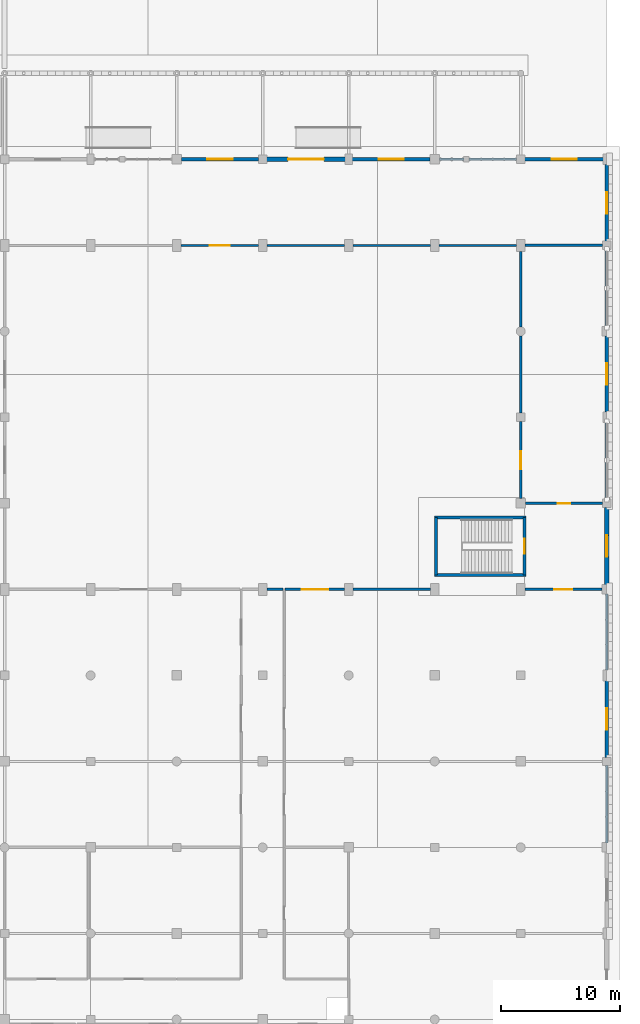
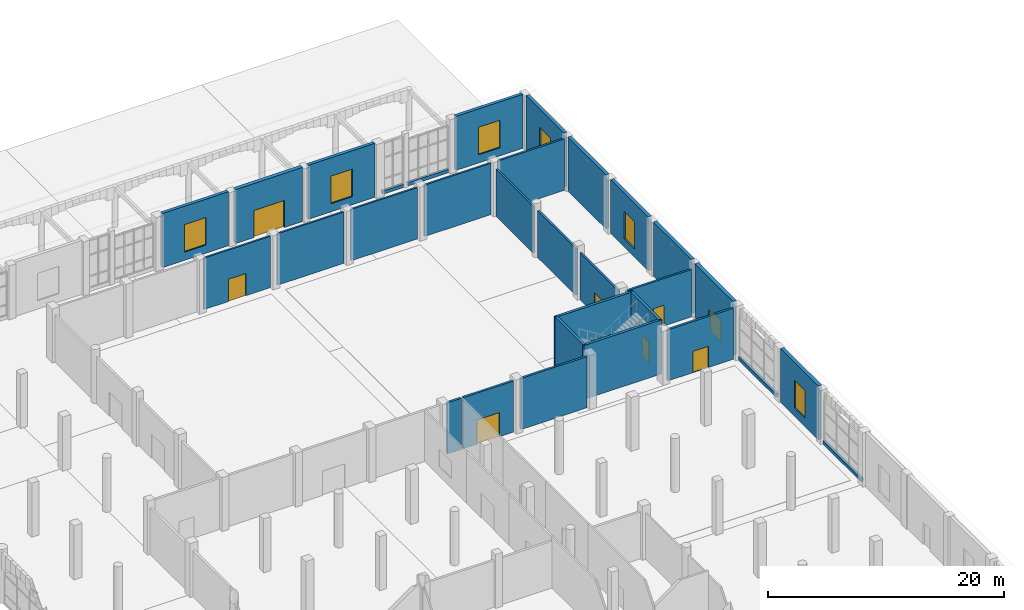
# One storey, part 64 of 85: 31 walls, 8 doors, 6 windows, 14 openings.
"""IFC4 building model written with IfcOpenShell, lengths in metres."""

import ifcopenshell
import ifcopenshell.guid

model = None  # the IFC model being written
_history = None  # IfcOwnerHistory: only IFC2X3 demands one
_inside = {}  # id of a spatial element -> (the spatial element, [elements in it])
_under = {}  # id of a project, library or spatial element -> (it, [spatial elements below it])
_declared = {}  # id of a project -> (the project, [libraries it declares])
_typed = {}  # id of a type object -> (the type object, [elements of that type])
_made_of = {}  # id of a material, layer set ... -> (it, [elements and type objects made of it])


def new_model(schema):
    """Start an empty IFC model of exactly this schema.

    Asked for "IFC4X3", IfcOpenShell would pick the latest addendum, in which some entities
    have other attributes; the version numbers below select the first issue.
    IFC2X3 requires an IfcOwnerHistory on every rooted entity: one is made here for all.
    """
    global model, _history
    if schema == "IFC4X3":
        model = ifcopenshell.file(schema_version=(4, 3, 0, 0))
    else:
        model = ifcopenshell.file(schema=schema)
    _inside.clear()
    _under.clear()
    _declared.clear()
    _typed.clear()
    _made_of.clear()
    _history = None
    if model.schema == "IFC2X3":
        org = make("IfcOrganization", Name="unknown")
        user = make(
            "IfcPersonAndOrganization",
            ThePerson=make("IfcPerson", FamilyName="unknown"),
            TheOrganization=org,
        )
        app = make(
            "IfcApplication",
            ApplicationDeveloper=org,
            Version="unknown",
            ApplicationFullName="unknown",
            ApplicationIdentifier="unknown",
        )
        _history = make(
            "IfcOwnerHistory",
            OwningUser=user,
            OwningApplication=app,
            ChangeAction="ADDED",
            CreationDate=0,
        )
    return model


def make(cls, **values):
    """One entity of the class cls with the attributes given. An attribute that is None is left unset."""
    return model.create_entity(
        cls, **{name: value for name, value in values.items() if value is not None}
    )


def rooted(cls, **values):
    """An entity with a GlobalId (a new one), such as an element, a storey or a relation."""
    return make(cls, GlobalId=ifcopenshell.guid.new(), OwnerHistory=_history, **values)


def si_unit(unit_type, name, prefix=None):
    """IfcSIUnit, for example si_unit("LENGTHUNIT", "METRE", prefix="MILLI")."""
    return make("IfcSIUnit", UnitType=unit_type, Prefix=prefix, Name=name)


def assignment(units):
    """IfcUnitAssignment: the units of a project."""
    return None if units is None else make("IfcUnitAssignment", Units=units)


def point(xyz):
    """IfcCartesianPoint."""
    return None if xyz is None else make("IfcCartesianPoint", Coordinates=xyz)


def direction(xyz):
    """IfcDirection."""
    return None if xyz is None else make("IfcDirection", DirectionRatios=xyz)


def frame(location, z_axis=None, x_axis=None):
    """IfcAxis2Placement3D, a coordinate frame: its origin and axes. An axis left out is left unset."""
    return make(
        "IfcAxis2Placement3D",
        Location=point(location),
        Axis=direction(z_axis),
        RefDirection=direction(x_axis),
    )


def frame_2d(location, x_axis=None):
    """IfcAxis2Placement2D, a coordinate frame in the plane: its origin and x axis."""
    return make(
        "IfcAxis2Placement2D", Location=point(location), RefDirection=direction(x_axis)
    )


def origin():
    """The frame at (0, 0, 0) with its axes left unset."""
    return frame((0.0, 0.0, 0.0))


def place(relative_to, where):
    """IfcLocalPlacement: puts the frame where relative to a parent placement (None: the world)."""
    return make(
        "IfcLocalPlacement", PlacementRelTo=relative_to, RelativePlacement=where
    )


def context(
    kind, dimensions, precision=None, world=None, true_north=None, identifier=None
):
    """IfcGeometricRepresentationContext, for example the 3D "Model" context."""
    return make(
        "IfcGeometricRepresentationContext",
        ContextIdentifier=identifier,
        ContextType=kind,
        CoordinateSpaceDimension=dimensions,
        Precision=precision,
        WorldCoordinateSystem=world,
        TrueNorth=true_north,
    )


def subcontext(parent, identifier, kind, view, scale=None):
    """IfcGeometricRepresentationSubContext, for example "Body" below "Model"."""
    return make(
        "IfcGeometricRepresentationSubContext",
        ContextIdentifier=identifier,
        ContextType=kind,
        ParentContext=parent,
        TargetScale=scale,
        TargetView=view,
    )


def project(units=None, contexts=None):
    """IfcProject with its units and contexts."""
    return rooted(
        "IfcProject",
        Name="project",
        RepresentationContexts=contexts,
        UnitsInContext=assignment(units),
    )


def spatial(cls, under=None, at=None, **own):
    """A site, building, storey or space (cls), placed at a placement, below another one or the project."""
    s = rooted(cls, ObjectPlacement=at, **own)
    if under is not None:
        _under.setdefault(under.id(), (under, []))[1].append(s)
    return s


def profile(cls, at=None, kind="AREA", **sizes):
    """A parametric profile (cls). Its sizes go by their IFC names, for example OverallWidth=200.0."""
    return make(cls, ProfileType=kind, Position=at, **sizes)


def rectangle(**sizes):
    """IfcRectangleProfileDef."""
    return profile("IfcRectangleProfileDef", **sizes)


def extrude(swept, where, along, depth):
    """IfcExtrudedAreaSolid: the profile swept, set in the frame where, extruded along a direction by depth."""
    return make(
        "IfcExtrudedAreaSolid",
        SweptArea=swept,
        Position=where,
        ExtrudedDirection=direction(along),
        Depth=depth,
    )


def shape(context_of_items, identifier, shape_type, items):
    """IfcShapeRepresentation: the items that make up one representation, for example the "Body"."""
    return make(
        "IfcShapeRepresentation",
        ContextOfItems=context_of_items,
        RepresentationIdentifier=identifier,
        RepresentationType=shape_type,
        Items=items,
    )


def material(Name=None, Category=None):
    """IfcMaterial."""
    return make("IfcMaterial", Name=Name, Category=Category)


def layer(
    of_material, thickness, ventilated=None, Name=None, Category=None, Priority=None
):
    """IfcMaterialLayer: one layer of a wall or slab, of a material (None: an air gap)."""
    return make(
        "IfcMaterialLayer",
        Material=of_material,
        LayerThickness=thickness,
        IsVentilated=ventilated,
        Name=Name,
        Category=Category,
        Priority=Priority,
    )


def layer_set(layers, Name=None):
    """IfcMaterialLayerSet."""
    return make("IfcMaterialLayerSet", MaterialLayers=layers, LayerSetName=Name)


def made_of(thing, what):
    """Note that an element or type object is made of a material, layer set ...; save() writes the relation."""
    if what is not None:
        _made_of.setdefault(what.id(), (what, []))[1].append(thing)
    return thing


def type_object(cls, material=None, **own):
    """A type object (cls), such as IfcWallType, which elements share."""
    return made_of(rooted(cls, **own), material)


def element(
    cls,
    number,
    at=None,
    inside=None,
    cuts=None,
    type_object=None,
    material=None,
    context=None,
    identifier="Body",
    shape_type=None,
    held_by="IfcProductDefinitionShape",
    body=None,
    shapes=None,
    **own,
):
    """One element of the class cls, such as IfcWall. Its Tag is "e" and its number.

    at: its placement. inside: the storey or other place that contains it. cuts: it is an
    opening in that element (IfcRelVoidsElement). A single representation is given by context,
    identifier, shape_type and body (its items); several are given by shapes. held_by: the class
    of the entity that holds the representations. save() writes the other relations.
    """
    e = rooted(cls, Tag="e%d" % number, ObjectPlacement=at, **own)
    if body is not None:
        shapes = [shape(context, identifier, shape_type, body)]
    if shapes is not None:
        e.Representation = make(held_by, Representations=shapes)
    if inside is not None:
        _inside.setdefault(inside.id(), (inside, []))[1].append(e)
    if cuts is not None:
        rooted(
            "IfcRelVoidsElement", RelatingBuildingElement=cuts, RelatedOpeningElement=e
        )
    if type_object is not None:
        _typed.setdefault(type_object.id(), (type_object, []))[1].append(e)
    return made_of(e, material)


def fill(opening, filler):
    """IfcRelFillsElement: the door or window that sits in an opening."""
    return rooted(
        "IfcRelFillsElement",
        RelatingOpeningElement=opening,
        RelatedBuildingElement=filler,
    )


def aggregate(whole, parts):
    """IfcRelAggregates: a whole, such as a stair, and the parts it consists of."""
    return rooted("IfcRelAggregates", RelatingObject=whole, RelatedObjects=parts)


def save(model, path):
    """Write the relations noted so far, then the file.

    IfcRelAggregates (storeys below a building ...), IfcRelContainedInSpatialStructure (elements
    in a storey), IfcRelDefinesByType, IfcRelAssociatesMaterial and IfcRelDeclares: one each for
    every whole, place, type object, material and project.
    """
    for whole, parts in _under.values():
        aggregate(whole, parts)
    for where, things in _inside.values():
        rooted(
            "IfcRelContainedInSpatialStructure",
            RelatedElements=things,
            RelatingStructure=where,
        )
    for kind, things in _typed.values():
        rooted("IfcRelDefinesByType", RelatedObjects=things, RelatingType=kind)
    for what, things in _made_of.values():
        rooted("IfcRelAssociatesMaterial", RelatedObjects=things, RelatingMaterial=what)
    for by, libraries in _declared.values():
        rooted("IfcRelDeclares", RelatingContext=by, RelatedDefinitions=libraries)
    model.write(path)


model = new_model("IFC4")

# Units and contexts
model_context = context("Model", 3, precision=1e-05, world=origin(), true_north=direction((0.0, 1.0)))
body_context = subcontext(model_context, "Body", "Model", "MODEL_VIEW")
ifc_project = project(units=[si_unit("LENGTHUNIT", "METRE"), si_unit("AREAUNIT", "SQUARE_METRE"), si_unit("VOLUMEUNIT", "CUBIC_METRE"), si_unit("PLANEANGLEUNIT", "RADIAN"), si_unit("MASSUNIT", "GRAM", prefix="KILO")], contexts=[model_context])

# Site, building, storey
site_placement = place(None, origin())
site = spatial("IfcSite", under=ifc_project, at=site_placement, CompositionType="ELEMENT")
building_placement = place(site_placement, origin())
building = spatial("IfcBuilding", under=site, at=building_placement, Name="Sardonyx Promenade Sports Hall", CompositionType="ELEMENT")
storey_placement = place(building_placement, origin())
storey = spatial("IfcBuildingStorey", under=building, at=storey_placement, Name="L00", CompositionType="ELEMENT", Elevation=0.0)

# Wall, opening, window
ifc_material_1 = material(Name="Concrete C40/50", Category="concrete")
ifc_layer_1 = layer(ifc_material_1, 0.300048828125)
ifc_layer_set_1 = layer_set([ifc_layer_1], Name="Wall_Ext_Hall_300")
wall_type_1 = type_object("IfcWallType", Name="Wall_Ext_Hall_300", PredefinedType="SOLIDWALL", material=ifc_layer_set_1)
wall_1_placement = place(storey_placement, frame((165.60009765625, 85.965087890625, 0.0), z_axis=(0.0, 0.0, 1.0), x_axis=(0.0, -1.0, 0.0)))
wall_1 = element("IfcWall", 1, at=wall_1_placement, inside=storey, type_object=wall_type_1, Name="Exterior wall EW04 L00 #92", PredefinedType="SOLIDWALL", context=body_context, shape_type="SweptSolid", body=[
    extrude(rectangle(XDim=6.43017578125, YDim=0.300048828125, at=frame_2d((3.215087890625, 0.0))), origin(), (0.0, 0.0, 1.0), 5.60009765625),
])
opening_1_placement = place(wall_1_placement, frame((2.31494140625, 0.0, 0.85009765625)))
opening_1 = element("IfcOpeningElement", 2, at=opening_1_placement, cuts=wall_1, Name="Opening W23", PredefinedType="OPENING", context=body_context, shape_type="SweptSolid", body=[
    extrude(rectangle(XDim=1.800048828125, YDim=2.85009765625, at=frame_2d((0.89990234375, 1.425048828125))), frame((0.0, 0.16, 0.0), z_axis=(0.0, -1.0, 0.0), x_axis=(1.0, 0.0, 0.0)), (0.0, 0.0, 1.0), 0.32),
])
ifc_material_2 = material(Name="Double-glazed solar low-E aluminium window", Category="aluminium")
window_type_1 = type_object("IfcWindowType", Name="Win_Sandstone_ArchA", PartitioningType="DOUBLE_PANEL_VERTICAL", PredefinedType="WINDOW", material=ifc_material_2)
window_1_placement = place(opening_1_placement, origin())
window_1 = element("IfcWindow", 3, at=window_1_placement, inside=storey, type_object=window_type_1, Name="Facade window W23 L00 #38", OverallHeight=2.85009765625, OverallWidth=1.800048828125, PartitioningType="SINGLE_PANEL", PredefinedType="WINDOW", context=body_context, shape_type="SweptSolid", body=[
    extrude(rectangle(XDim=1.800048828125, YDim=2.85009765625, at=frame_2d((0.89990234375, 1.425048828125))), frame((0.0, 0.030029296875, 0.0), z_axis=(0.0, -1.0, 0.0), x_axis=(1.0, 0.0, 0.0)), (0.0, 0.0, 1.0), 0.06005859375),
])
fill(opening_1, window_1)

# Wall
wall_2_placement = place(storey_placement, frame((165.60009765625, 78.864990234375, 0.0), z_axis=(0.0, 0.0, 1.0), x_axis=(0.0, -1.0, 0.0)))
element("IfcWall", 4, at=wall_2_placement, inside=storey, type_object=wall_type_1, Name="Exterior wall EW04 L00 #93", PredefinedType="SOLIDWALL", context=body_context, shape_type="SweptSolid", body=[
    extrude(rectangle(XDim=6.47998046875, YDim=0.300048828125, at=frame_2d((3.239990234375, 0.0))), origin(), (0.0, 0.0, 1.0), 5.60009765625),
])

# Wall, opening, window
wall_3_placement = place(storey_placement, frame((165.60009765625, 71.614990234375, 0.0), z_axis=(0.0, 0.0, 1.0), x_axis=(0.0, -1.0, 0.0)))
wall_3 = element("IfcWall", 5, at=wall_3_placement, inside=storey, type_object=wall_type_1, Name="Exterior wall EW04 L00 #94", PredefinedType="SOLIDWALL", context=body_context, shape_type="SweptSolid", body=[
    extrude(rectangle(XDim=6.3798828125, YDim=0.300048828125, at=frame_2d((3.18994140625, 0.0))), origin(), (0.0, 0.0, 1.0), 5.60009765625),
])
opening_2_placement = place(wall_3_placement, frame((2.2900390625, 0.0, 0.85009765625)))
opening_2 = element("IfcOpeningElement", 6, at=opening_2_placement, cuts=wall_3, Name="Opening W23", PredefinedType="OPENING", context=body_context, shape_type="SweptSolid", body=[
    extrude(rectangle(XDim=1.800048828125, YDim=2.85009765625, at=frame_2d((0.89990234375, 1.425048828125))), frame((0.0, 0.16, 0.0), z_axis=(0.0, -1.0, 0.0), x_axis=(1.0, 0.0, 0.0)), (0.0, 0.0, 1.0), 0.32),
])
window_2_placement = place(opening_2_placement, origin())
window_2 = element("IfcWindow", 7, at=window_2_placement, inside=storey, type_object=window_type_1, Name="Facade window W23 L00 #39", OverallHeight=2.85009765625, OverallWidth=1.800048828125, PartitioningType="SINGLE_PANEL", PredefinedType="WINDOW", context=body_context, shape_type="SweptSolid", body=[
    extrude(rectangle(XDim=1.800048828125, YDim=2.85009765625, at=frame_2d((0.89990234375, 1.425048828125))), frame((0.0, 0.030029296875, 0.0), z_axis=(0.0, -1.0, 0.0), x_axis=(1.0, 0.0, 0.0)), (0.0, 0.0, 1.0), 0.06005859375),
])
fill(opening_2, window_2)

# Wall
wall_4_placement = place(storey_placement, frame((165.60009765625, 64.364990234375, 0.0), z_axis=(0.0, 0.0, 1.0), x_axis=(0.0, -1.0, 0.0)))
element("IfcWall", 8, at=wall_4_placement, inside=storey, type_object=wall_type_1, Name="Exterior wall EW04 L00 #95", PredefinedType="SOLIDWALL", context=body_context, shape_type="SweptSolid", body=[
    extrude(rectangle(XDim=6.429931640625, YDim=0.300048828125, at=frame_2d((3.21484375, 0.0))), origin(), (0.0, 0.0, 1.0), 5.60009765625),
])

# Wall, opening, window
wall_5_placement = place(storey_placement, frame((165.60009765625, 42.764892578125, 0.0), z_axis=(0.0, 0.0, 1.0), x_axis=(0.0, -1.0, 0.0)))
wall_5 = element("IfcWall", 9, at=wall_5_placement, inside=storey, type_object=wall_type_1, Name="Exterior wall EW04 L00 #98", PredefinedType="SOLIDWALL", context=body_context, shape_type="SweptSolid", body=[
    extrude(rectangle(XDim=6.429931640625, YDim=0.300048828125, at=frame_2d((3.21484375, 0.0))), origin(), (0.0, 0.0, 1.0), 5.60009765625),
])
opening_3_placement = place(wall_5_placement, frame((2.31494140625, 0.0, 0.85009765625)))
opening_3 = element("IfcOpeningElement", 10, at=opening_3_placement, cuts=wall_5, Name="Opening W23", PredefinedType="OPENING", context=body_context, shape_type="SweptSolid", body=[
    extrude(rectangle(XDim=1.800048828125, YDim=2.85009765625, at=frame_2d((0.89990234375, 1.425048828125))), frame((0.0, 0.16, 0.0), z_axis=(0.0, -1.0, 0.0), x_axis=(1.0, 0.0, 0.0)), (0.0, 0.0, 1.0), 0.32),
])
window_3_placement = place(opening_3_placement, origin())
window_3 = element("IfcWindow", 11, at=window_3_placement, inside=storey, type_object=window_type_1, Name="Facade window W23 L00 #40", OverallHeight=2.85009765625, OverallWidth=1.800048828125, PartitioningType="SINGLE_PANEL", PredefinedType="WINDOW", context=body_context, shape_type="SweptSolid", body=[
    extrude(rectangle(XDim=1.800048828125, YDim=2.85009765625, at=frame_2d((0.89990234375, 1.425048828125))), frame((0.0, 0.030029296875, 0.0), z_axis=(0.0, -1.0, 0.0), x_axis=(1.0, 0.0, 0.0)), (0.0, 0.0, 1.0), 0.06005859375),
])
fill(opening_3, window_3)

wall_6_placement = place(storey_placement, frame((129.985107421875, 86.39990234375, 0.0), z_axis=(0.0, 0.0, 1.0), x_axis=(1.0, 0.0, 0.0)))
wall_6 = element("IfcWall", 12, at=wall_6_placement, inside=storey, type_object=wall_type_1, Name="Exterior wall EW04 L00 #188", PredefinedType="SOLIDWALL", context=body_context, shape_type="SweptSolid", body=[
    extrude(rectangle(XDim=6.47998046875, YDim=0.300048828125, at=frame_2d((3.239990234375, 0.0))), origin(), (0.0, 0.0, 1.0), 5.60009765625),
])
opening_4_placement = place(wall_6_placement, frame((2.18994140625, 0.0, 0.85009765625)))
opening_4 = element("IfcOpeningElement", 13, at=opening_4_placement, cuts=wall_6, Name="Opening W15", PredefinedType="OPENING", context=body_context, shape_type="SweptSolid", body=[
    extrude(rectangle(XDim=2.10009765625, YDim=2.85009765625, at=frame_2d((1.050048828125, 1.425048828125))), frame((0.0, 0.16, 0.0), z_axis=(0.0, -1.0, 0.0), x_axis=(1.0, 0.0, 0.0)), (0.0, 0.0, 1.0), 0.32),
])
ifc_material_3 = material(Name="Double-glazed solar low-E aluminium window", Category="aluminium")
window_type_2 = type_object("IfcWindowType", Name="Win_Sandstone_ArchB", PartitioningType="DOUBLE_PANEL_VERTICAL", PredefinedType="WINDOW", material=ifc_material_3)
window_4_placement = place(opening_4_placement, origin())
window_4 = element("IfcWindow", 14, at=window_4_placement, inside=storey, type_object=window_type_2, Name="Facade window W15 L00 #73", OverallHeight=2.85009765625, OverallWidth=2.10009765625, PartitioningType="SINGLE_PANEL", PredefinedType="WINDOW", context=body_context, shape_type="SweptSolid", body=[
    extrude(rectangle(XDim=2.10009765625, YDim=2.85009765625, at=frame_2d((1.050048828125, 1.425048828125))), frame((0.0, 0.030029296875, 0.0), z_axis=(0.0, -1.0, 0.0), x_axis=(1.0, 0.0, 0.0)), (0.0, 0.0, 1.0), 0.06005859375),
])
fill(opening_4, window_4)

wall_7_placement = place(storey_placement, frame((144.284912109375, 86.39990234375, 0.0), z_axis=(0.0, 0.0, 1.0), x_axis=(1.0, 0.0, 0.0)))
wall_7 = element("IfcWall", 15, at=wall_7_placement, inside=storey, type_object=wall_type_1, Name="Exterior wall EW04 L00 #190", PredefinedType="SOLIDWALL", context=body_context, shape_type="SweptSolid", body=[
    extrude(rectangle(XDim=6.530029296875, YDim=0.300048828125, at=frame_2d((3.26513671875, 0.0))), origin(), (0.0, 0.0, 1.0), 5.60009765625),
])
opening_5_placement = place(wall_7_placement, frame((2.215087890625, 0.0, 0.85009765625)))
opening_5 = element("IfcOpeningElement", 16, at=opening_5_placement, cuts=wall_7, Name="Opening W15", PredefinedType="OPENING", context=body_context, shape_type="SweptSolid", body=[
    extrude(rectangle(XDim=2.10009765625, YDim=2.85009765625, at=frame_2d((1.050048828125, 1.425048828125))), frame((0.0, 0.16, 0.0), z_axis=(0.0, -1.0, 0.0), x_axis=(1.0, 0.0, 0.0)), (0.0, 0.0, 1.0), 0.32),
])
window_5_placement = place(opening_5_placement, origin())
window_5 = element("IfcWindow", 17, at=window_5_placement, inside=storey, type_object=window_type_2, Name="Facade window W15 L00 #74", OverallHeight=2.85009765625, OverallWidth=2.10009765625, PartitioningType="SINGLE_PANEL", PredefinedType="WINDOW", context=body_context, shape_type="SweptSolid", body=[
    extrude(rectangle(XDim=2.10009765625, YDim=2.85009765625, at=frame_2d((1.050048828125, 1.425048828125))), frame((0.0, 0.030029296875, 0.0), z_axis=(0.0, -1.0, 0.0), x_axis=(1.0, 0.0, 0.0)), (0.0, 0.0, 1.0), 0.06005859375),
])
fill(opening_5, window_5)

wall_8_placement = place(storey_placement, frame((158.735107421875, 86.39990234375, 0.0), z_axis=(0.0, 0.0, 1.0), x_axis=(1.0, 0.0, 0.0)))
wall_8 = element("IfcWall", 18, at=wall_8_placement, inside=storey, type_object=wall_type_1, Name="Exterior wall EW04 L00 #193", PredefinedType="SOLIDWALL", context=body_context, shape_type="SweptSolid", body=[
    extrude(rectangle(XDim=6.579833984375, YDim=0.300048828125, at=frame_2d((3.2900390625, 0.0))), origin(), (0.0, 0.0, 1.0), 5.60009765625),
])
opening_6_placement = place(wall_8_placement, frame((2.239990234375, 0.0, 0.85009765625)))
opening_6 = element("IfcOpeningElement", 19, at=opening_6_placement, cuts=wall_8, Name="Opening W15", PredefinedType="OPENING", context=body_context, shape_type="SweptSolid", body=[
    extrude(rectangle(XDim=2.10009765625, YDim=2.85009765625, at=frame_2d((1.050048828125, 1.425048828125))), frame((0.0, 0.16, 0.0), z_axis=(0.0, -1.0, 0.0), x_axis=(1.0, 0.0, 0.0)), (0.0, 0.0, 1.0), 0.32),
])
window_6_placement = place(opening_6_placement, origin())
window_6 = element("IfcWindow", 20, at=window_6_placement, inside=storey, type_object=window_type_2, Name="Facade window W15 L00 #75", OverallHeight=2.85009765625, OverallWidth=2.10009765625, PartitioningType="SINGLE_PANEL", PredefinedType="WINDOW", context=body_context, shape_type="SweptSolid", body=[
    extrude(rectangle(XDim=2.10009765625, YDim=2.85009765625, at=frame_2d((1.050048828125, 1.425048828125))), frame((0.0, 0.030029296875, 0.0), z_axis=(0.0, -1.0, 0.0), x_axis=(1.0, 0.0, 0.0)), (0.0, 0.0, 1.0), 0.06005859375),
])
fill(opening_6, window_6)

# Wall, opening, door
ifc_material_4 = material(Name="Concrete C40/50", Category="concrete")
ifc_layer_2 = layer(ifc_material_4, 0.360107421875)
ifc_layer_set_2 = layer_set([ifc_layer_2], Name="Wall_Ext_Sandstone_360")
wall_type_2 = type_object("IfcWallType", Name="Wall_Ext_Sandstone_360", PredefinedType="SOLIDWALL", material=ifc_layer_set_2)
wall_9_placement = place(storey_placement, frame((165.60009765625, 57.264892578125, 0.0), z_axis=(0.0, 0.0, 1.0), x_axis=(0.0, -1.0, 0.0)))
wall_9 = element("IfcWall", 21, at=wall_9_placement, inside=storey, type_object=wall_type_2, Name="Exterior wall EW06 L00 #96", PredefinedType="SOLIDWALL", context=body_context, shape_type="SweptSolid", body=[
    extrude(rectangle(XDim=6.47998046875, YDim=0.360107421875, at=frame_2d((3.239990234375, 0.0))), origin(), (0.0, 0.0, 1.0), 5.60009765625),
])
opening_7_placement = place(wall_9_placement, frame((2.340087890625, 0.0, 0.0)))
opening_7 = element("IfcOpeningElement", 22, at=opening_7_placement, cuts=wall_9, Name="Opening ED04", PredefinedType="OPENING", context=body_context, shape_type="SweptSolid", body=[
    extrude(rectangle(XDim=1.800048828125, YDim=2.199951171875, at=frame_2d((0.89990234375, 1.10009765625))), frame((0.0, 0.19, 0.0), z_axis=(0.0, -1.0, 0.0), x_axis=(1.0, 0.0, 0.0)), (0.0, 0.0, 1.0), 0.38),
])
ifc_material_5 = material(Name="Thermally broken anodised aluminium glazed door", Category="aluminium")
door_type_1 = type_object("IfcDoorType", Name="Door_Ext_Escape_180x220", OperationType="NOTDEFINED", PredefinedType="DOOR", material=ifc_material_5)
door_1_placement = place(opening_7_placement, origin())
door_1 = element("IfcDoor", 23, at=door_1_placement, inside=storey, type_object=door_type_1, Name="Exterior exit door E09", OperationType="DOUBLE_DOOR_SINGLE_SWING", OverallHeight=2.199951171875, OverallWidth=1.800048828125, PredefinedType="DOOR", context=body_context, shape_type="SweptSolid", body=[
    extrude(rectangle(XDim=1.800048828125, YDim=2.199951171875, at=frame_2d((0.89990234375, 1.10009765625))), frame((0.0, 0.02490234375, 0.0), z_axis=(0.0, -1.0, 0.0), x_axis=(1.0, 0.0, 0.0)), (0.0, 0.0, 1.0), 0.050048828125),
])
fill(opening_7, door_1)

wall_10_placement = place(storey_placement, frame((137.135009765625, 86.39990234375, 0.0), z_axis=(0.0, 0.0, 1.0), x_axis=(1.0, 0.0, 0.0)))
wall_10 = element("IfcWall", 24, at=wall_10_placement, inside=storey, type_object=wall_type_2, Name="Exterior wall EW06 L00 #189", PredefinedType="SOLIDWALL", context=body_context, shape_type="SweptSolid", body=[
    extrude(rectangle(XDim=6.580078125, YDim=0.360107421875, at=frame_2d((3.2900390625, 0.0))), origin(), (0.0, 0.0, 1.0), 5.60009765625),
])
opening_8_placement = place(wall_10_placement, frame((1.7900390625, 0.0, 0.0)))
opening_8 = element("IfcOpeningElement", 25, at=opening_8_placement, cuts=wall_10, Name="Opening ED07", PredefinedType="OPENING", context=body_context, shape_type="SweptSolid", body=[
    extrude(rectangle(XDim=3.0, YDim=2.800048828125, at=frame_2d((1.5, 1.39990234375))), frame((0.0, 0.19, 0.0), z_axis=(0.0, -1.0, 0.0), x_axis=(1.0, 0.0, 0.0)), (0.0, 0.0, 1.0), 0.38),
])
ifc_material_6 = material(Name="Thermally broken anodised aluminium glazed door", Category="aluminium")
door_type_2 = type_object("IfcDoorType", Name="Door_Ext_MainPishtaq_300x280", OperationType="NOTDEFINED", PredefinedType="DOOR", material=ifc_material_6)
door_2_placement = place(opening_8_placement, origin())
door_2 = element("IfcDoor", 26, at=door_2_placement, inside=storey, type_object=door_type_2, Name="Exterior exit door E16", OperationType="DOUBLE_DOOR_SINGLE_SWING", OverallHeight=2.800048828125, OverallWidth=3.0, PredefinedType="DOOR", context=body_context, shape_type="SweptSolid", body=[
    extrude(rectangle(XDim=3.0, YDim=2.800048828125, at=frame_2d((1.5, 1.39990234375))), frame((0.0, 0.02490234375, 0.0), z_axis=(0.0, -1.0, 0.0), x_axis=(1.0, 0.0, 0.0)), (0.0, 0.0, 1.0), 0.050048828125),
])
fill(opening_8, door_2)

# Walls
ifc_material_7 = material(Name="Masonry CMU 15 MPa", Category="masonry")
ifc_layer_3 = layer(ifc_material_7, 0.239990234375)
ifc_layer_set_3 = layer_set([ifc_layer_3], Name="Wall_Ext_Spandrel_240")
wall_type_3 = type_object("IfcWallType", Name="Wall_Ext_Spandrel_240", PredefinedType="SOLIDWALL", material=ifc_layer_set_3)
wall_11_placement = place(storey_placement, frame((165.60009765625, 50.014892578125, 0.0), z_axis=(0.0, 0.0, 1.0), x_axis=(0.0, -1.0, 0.0)))
element("IfcWall", 27, at=wall_11_placement, inside=storey, type_object=wall_type_3, Name="Curtain-wall sill spandrel L00 #97", PredefinedType="SOLIDWALL", context=body_context, shape_type="SweptSolid", body=[
    extrude(rectangle(XDim=6.3798828125, YDim=0.239990234375, at=frame_2d((3.18994140625, 0.0))), origin(), (0.0, 0.0, 1.0), 0.35009765625),
])
wall_12_placement = place(storey_placement, frame((165.60009765625, 35.6650390625, 0.0), z_axis=(0.0, 0.0, 1.0), x_axis=(0.0, -1.0, 0.0)))
element("IfcWall", 28, at=wall_12_placement, inside=storey, type_object=wall_type_3, Name="Curtain-wall sill spandrel L00 #99", PredefinedType="SOLIDWALL", context=body_context, shape_type="SweptSolid", body=[
    extrude(rectangle(XDim=6.47998046875, YDim=0.239990234375, at=frame_2d((3.239990234375, 0.0))), origin(), (0.0, 0.0, 1.0), 0.35009765625),
])
wall_13_placement = place(storey_placement, frame((151.5849609375, 86.39990234375, 0.0), z_axis=(0.0, 0.0, 1.0), x_axis=(1.0, 0.0, 0.0)))
element("IfcWall", 29, at=wall_13_placement, inside=storey, type_object=wall_type_3, Name="Curtain-wall sill spandrel L00 #191", PredefinedType="SOLIDWALL", context=body_context, shape_type="SweptSolid", body=[
    extrude(rectangle(XDim=2.054931640625, YDim=0.239990234375, at=frame_2d((1.02734375, 0.0))), origin(), (0.0, 0.0, 1.0), 0.35009765625),
])
wall_14_placement = place(storey_placement, frame((154.06005859375, 86.39990234375, 0.0), z_axis=(0.0, 0.0, 1.0), x_axis=(1.0, 0.0, 0.0)))
element("IfcWall", 30, at=wall_14_placement, inside=storey, type_object=wall_type_3, Name="Curtain-wall sill spandrel L00 #192", PredefinedType="SOLIDWALL", context=body_context, shape_type="SweptSolid", body=[
    extrude(rectangle(XDim=4.0048828125, YDim=0.239990234375, at=frame_2d((2.00244140625, 0.0))), origin(), (0.0, 0.0, 1.0), 0.35009765625),
])

# Wall, opening, door
ifc_material_8 = material(Name="Twin-stud acoustic gypsum partition", Category="gypsum")
ifc_layer_4 = layer(ifc_material_8, 0.169921875)
ifc_layer_set_4 = layer_set([ifc_layer_4], Name="Wall_Part_Acoust_170")
wall_type_4 = type_object("IfcWallType", Name="Wall_Part_Acoust_170", PredefinedType="PARTITIONING", material=ifc_layer_set_4)
wall_15_placement = place(storey_placement, frame((129.949951171875, 79.199951171875, 0.0), z_axis=(0.0, 0.0, 1.0), x_axis=(1.0, 0.0, 0.0)))
wall_15 = element("IfcWall", 31, at=wall_15_placement, inside=storey, type_object=wall_type_4, Name="Interior partition PW06 L00 #453", PredefinedType="PARTITIONING", context=body_context, shape_type="SweptSolid", body=[
    extrude(rectangle(XDim=6.5, YDim=0.169921875, at=frame_2d((3.25, 0.0))), origin(), (0.0, 0.0, 1.0), 5.320068359375),
])
opening_9_placement = place(wall_15_placement, frame((2.39990234375, 0.0, 0.0)))
opening_9 = element("IfcOpeningElement", 32, at=opening_9_placement, cuts=wall_15, Name="Opening ID03", PredefinedType="OPENING", context=body_context, shape_type="SweptSolid", body=[
    extrude(rectangle(XDim=1.699951171875, YDim=2.300048828125, at=frame_2d((0.85009765625, 1.14990234375))), frame((0.0, 0.095, 0.0), z_axis=(0.0, -1.0, 0.0), x_axis=(1.0, 0.0, 0.0)), (0.0, 0.0, 1.0), 0.19),
])
ifc_material_9 = material(Name="Double changing suite fire door FD30S", Category="wood")
door_type_3 = type_object("IfcDoorType", Name="Door_Corr_FD30_170x230", OperationType="NOTDEFINED", PredefinedType="DOOR", material=ifc_material_9)
door_3_placement = place(opening_9_placement, origin())
door_3 = element("IfcDoor", 33, at=door_3_placement, inside=storey, type_object=door_type_3, Name="Interior door D00-143", OperationType="DOUBLE_DOOR_SINGLE_SWING", OverallHeight=2.300048828125, OverallWidth=1.699951171875, PredefinedType="DOOR", context=body_context, shape_type="SweptSolid", body=[
    extrude(rectangle(XDim=1.699951171875, YDim=2.300048828125, at=frame_2d((0.85009765625, 1.14990234375))), frame((0.0, 0.02490234375, 0.0), z_axis=(0.0, -1.0, 0.0), x_axis=(1.0, 0.0, 0.0)), (0.0, 0.0, 1.0), 0.050048828125),
])
fill(opening_9, door_3)

# Walls
for number, where, z_axis, x_axis, name in (
    (34, (137.14990234375, 79.199951171875, 0.0), (0.0, 0.0, 1.0), (1.0, 0.0, 0.0), "Interior partition PW06 L00 #456"),
    (35, (144.35009765625, 79.199951171875, 0.0), (0.0, 0.0, 1.0), (1.0, 0.0, 0.0), "Interior partition PW06 L00 #458"),
    (36, (151.550048828125, 79.199951171875, 0.0), (0.0, 0.0, 1.0), (1.0, 0.0, 0.0), "Interior partition PW06 L00 #459"),
):
    element("IfcWall", number, at=place(storey_placement, frame(where, z_axis=z_axis, x_axis=x_axis)), inside=storey, type_object=wall_type_4, Name=name, PredefinedType="PARTITIONING", context=body_context, shape_type="SweptSolid", body=[
        extrude(rectangle(XDim=6.5, YDim=0.169921875, at=frame_2d((3.25, 0.0))), origin(), (0.0, 0.0, 1.0), 5.320068359375),
    ])

# Wall, opening, door
ifc_material_10 = material(Name="Masonry CMU 15 MPa", Category="masonry")
ifc_layer_5 = layer(ifc_material_10, 0.18994140625)
ifc_layer_set_5 = layer_set([ifc_layer_5], Name="Wall_Part_Block_190")
wall_type_5 = type_object("IfcWallType", Name="Wall_Part_Block_190", PredefinedType="PARTITIONING", material=ifc_layer_set_5)
wall_16_placement = place(storey_placement, frame((158.800048828125, 57.60009765625, 0.0), z_axis=(0.0, 0.0, 1.0), x_axis=(1.0, 0.0, 0.0)))
wall_16 = element("IfcWall", 37, at=wall_16_placement, inside=storey, type_object=wall_type_5, Name="Interior partition PW03 L00 #438", PredefinedType="PARTITIONING", context=body_context, shape_type="SweptSolid", body=[
    extrude(rectangle(XDim=6.449951171875, YDim=0.18994140625, at=frame_2d((3.22509765625, 0.0))), origin(), (0.0, 0.0, 1.0), 4.906494140625),
])
opening_10_placement = place(wall_16_placement, frame((2.699951171875, 0.0, 0.0)))
opening_10 = element("IfcOpeningElement", 38, at=opening_10_placement, cuts=wall_16, Name="Opening ID07", PredefinedType="OPENING", context=body_context, shape_type="SweptSolid", body=[
    extrude(rectangle(XDim=1.050048828125, YDim=2.14990234375, at=frame_2d((0.52490234375, 1.074951171875))), frame((0.0, 0.105, 0.0), z_axis=(0.0, -1.0, 0.0), x_axis=(1.0, 0.0, 0.0)), (0.0, 0.0, 1.0), 0.21),
])
ifc_material_11 = material(Name="Hardwood accessible fire door FD30S", Category="wood")
door_type_4 = type_object("IfcDoorType", Name="Door_Corr_FD30_105x215", OperationType="NOTDEFINED", PredefinedType="DOOR", material=ifc_material_11)
door_4_placement = place(opening_10_placement, origin())
door_4 = element("IfcDoor", 39, at=door_4_placement, inside=storey, type_object=door_type_4, Name="Interior door D00-138", OperationType="SINGLE_SWING_RIGHT", OverallHeight=2.14990234375, OverallWidth=1.050048828125, PredefinedType="DOOR", context=body_context, shape_type="SweptSolid", body=[
    extrude(rectangle(XDim=1.050048828125, YDim=2.14990234375, at=frame_2d((0.52490234375, 1.074951171875))), frame((0.0, 0.02490234375, 0.0), z_axis=(0.0, -1.0, 0.0), x_axis=(1.0, 0.0, 0.0)), (0.0, 0.0, 1.0), 0.050048828125),
])
fill(opening_10, door_4)

# Wall
wall_17_placement = place(storey_placement, frame((158.75, 79.199951171875, 0.0), z_axis=(0.0, 0.0, 1.0), x_axis=(1.0, 0.0, 0.0)))
element("IfcWall", 40, at=wall_17_placement, inside=storey, type_object=wall_type_5, Name="Interior partition PW03 L00 #439", PredefinedType="PARTITIONING", context=body_context, shape_type="SweptSolid", body=[
    extrude(rectangle(XDim=6.5, YDim=0.18994140625, at=frame_2d((3.25, 0.0))), origin(), (0.0, 0.0, 1.0), 5.320068359375),
])

# Wall, opening, door
wall_18_placement = place(storey_placement, frame((158.39990234375, 58.0, 0.0), z_axis=(0.0, 0.0, 1.0), x_axis=(0.0, 1.0, 0.0)))
wall_18 = element("IfcWall", 41, at=wall_18_placement, inside=storey, type_object=wall_type_5, Name="Interior partition PW03 L00 #442", PredefinedType="PARTITIONING", context=body_context, shape_type="SweptSolid", body=[
    extrude(rectangle(XDim=6.449951171875, YDim=0.18994140625, at=frame_2d((3.22509765625, 0.0))), origin(), (0.0, 0.0, 1.0), 4.860107421875),
])
opening_11_placement = place(wall_18_placement, frame((2.47509765625, 0.0, 0.0)))
opening_11 = element("IfcOpeningElement", 42, at=opening_11_placement, cuts=wall_18, Name="Opening ID10", PredefinedType="OPENING", context=body_context, shape_type="SweptSolid", body=[
    extrude(rectangle(XDim=1.5, YDim=2.199951171875, at=frame_2d((0.75, 1.10009765625))), frame((0.0, 0.105, 0.0), z_axis=(0.0, -1.0, 0.0), x_axis=(1.0, 0.0, 0.0)), (0.0, 0.0, 1.0), 0.21),
])
ifc_material_12 = material(Name="Double studio entrance fire door FD30S", Category="wood")
door_type_5 = type_object("IfcDoorType", Name="Door_Corr_FD30_150x220", OperationType="NOTDEFINED", PredefinedType="DOOR", material=ifc_material_12)
door_5_placement = place(opening_11_placement, origin())
door_5 = element("IfcDoor", 43, at=door_5_placement, inside=storey, type_object=door_type_5, Name="Interior door D00-140", OperationType="DOUBLE_DOOR_SINGLE_SWING", OverallHeight=2.199951171875, OverallWidth=1.5, PredefinedType="DOOR", context=body_context, shape_type="SweptSolid", body=[
    extrude(rectangle(XDim=1.5, YDim=2.199951171875, at=frame_2d((0.75, 1.10009765625))), frame((0.0, 0.02490234375, 0.0), z_axis=(0.0, -1.0, 0.0), x_axis=(1.0, 0.0, 0.0)), (0.0, 0.0, 1.0), 0.050048828125),
])
fill(opening_11, door_5)

# Walls
wall_19_placement = place(storey_placement, frame((158.39990234375, 65.14990234375, 0.0), z_axis=(0.0, 0.0, 1.0), x_axis=(0.0, 1.0, 0.0)))
element("IfcWall", 44, at=wall_19_placement, inside=storey, type_object=wall_type_5, Name="Interior partition PW03 L00 #444", PredefinedType="PARTITIONING", context=body_context, shape_type="SweptSolid", body=[
    extrude(rectangle(XDim=6.47509765625, YDim=0.18994140625, at=frame_2d((3.237548828125, 0.0))), origin(), (0.0, 0.0, 1.0), 4.860107421875),
])
wall_20_placement = place(storey_placement, frame((158.39990234375, 72.375, 0.0), z_axis=(0.0, 0.0, 1.0), x_axis=(0.0, 1.0, 0.0)))
element("IfcWall", 45, at=wall_20_placement, inside=storey, type_object=wall_type_5, Name="Interior partition PW03 L00 #446", PredefinedType="PARTITIONING", context=body_context, shape_type="SweptSolid", body=[
    extrude(rectangle(XDim=6.324951171875, YDim=0.18994140625, at=frame_2d((3.16259765625, 0.0))), origin(), (0.0, 0.0, 1.0), 4.860107421875),
])

# Wall, opening, door
ifc_material_13 = material(Name="Masonry CMU 15 MPa", Category="masonry")
ifc_layer_6 = layer(ifc_material_13, 0.2099609375)
ifc_layer_set_6 = layer_set([ifc_layer_6], Name="Wall_Part_Block_210")
wall_type_6 = type_object("IfcWallType", Name="Wall_Part_Block_210", PredefinedType="PARTITIONING", material=ifc_layer_set_6)
wall_21_placement = place(storey_placement, frame((158.75, 50.39990234375, 0.0), z_axis=(0.0, 0.0, 1.0), x_axis=(1.0, 0.0, 0.0)))
wall_21 = element("IfcWall", 46, at=wall_21_placement, inside=storey, type_object=wall_type_6, Name="Interior partition PW07 L00 #437", PredefinedType="PARTITIONING", context=body_context, shape_type="SweptSolid", body=[
    extrude(rectangle(XDim=6.449951171875, YDim=0.2099609375, at=frame_2d((3.22509765625, 0.0))), origin(), (0.0, 0.0, 1.0), 5.2900390625),
])
opening_12_placement = place(wall_21_placement, frame((2.47509765625, 0.0, 0.0)))
opening_12 = element("IfcOpeningElement", 47, at=opening_12_placement, cuts=wall_21, Name="Opening ID10", PredefinedType="OPENING", context=body_context, shape_type="SweptSolid", body=[
    extrude(rectangle(XDim=1.5, YDim=2.199951171875, at=frame_2d((0.75, 1.10009765625))), frame((0.0, 0.115, 0.0), z_axis=(0.0, -1.0, 0.0), x_axis=(1.0, 0.0, 0.0)), (0.0, 0.0, 1.0), 0.23),
])
door_6_placement = place(opening_12_placement, origin())
door_6 = element("IfcDoor", 48, at=door_6_placement, inside=storey, type_object=door_type_5, Name="Interior door D00-137", OperationType="DOUBLE_DOOR_SINGLE_SWING", OverallHeight=2.199951171875, OverallWidth=1.5, PredefinedType="DOOR", context=body_context, shape_type="SweptSolid", body=[
    extrude(rectangle(XDim=1.5, YDim=2.199951171875, at=frame_2d((0.75, 1.10009765625))), frame((0.0, 0.02490234375, 0.0), z_axis=(0.0, -1.0, 0.0), x_axis=(1.0, 0.0, 0.0)), (0.0, 0.0, 1.0), 0.050048828125),
])
fill(opening_12, door_6)

# Wall
wall_22_placement = place(storey_placement, frame((137.14990234375, 50.39990234375, 0.0), z_axis=(0.0, 0.0, 1.0), x_axis=(1.0, 0.0, 0.0)))
element("IfcWall", 49, at=wall_22_placement, inside=storey, type_object=wall_type_6, Name="Interior partition PW07 L00 #454", PredefinedType="PARTITIONING", context=body_context, shape_type="SweptSolid", body=[
    extrude(rectangle(XDim=1.364990234375, YDim=0.2099609375, at=frame_2d((0.6826171875, 0.0))), origin(), (0.0, 0.0, 1.0), 5.2900390625),
])

# Wall, opening, door
wall_23_placement = place(storey_placement, frame((138.68505859375, 50.39990234375, 0.0), z_axis=(0.0, 0.0, 1.0), x_axis=(1.0, 0.0, 0.0)))
wall_23 = element("IfcWall", 50, at=wall_23_placement, inside=storey, type_object=wall_type_6, Name="Interior partition PW07 L00 #455", PredefinedType="PARTITIONING", context=body_context, shape_type="SweptSolid", body=[
    extrude(rectangle(XDim=4.96484375, YDim=0.2099609375, at=frame_2d((2.482421875, 0.0))), origin(), (0.0, 0.0, 1.0), 5.2900390625),
])
opening_13_placement = place(wall_23_placement, frame((1.382568359375, 0.0, 0.0)))
opening_13 = element("IfcOpeningElement", 51, at=opening_13_placement, cuts=wall_23, Name="Opening ID04", PredefinedType="OPENING", context=body_context, shape_type="SweptSolid", body=[
    extrude(rectangle(XDim=2.199951171875, YDim=2.5, at=frame_2d((1.10009765625, 1.25))), frame((0.0, 0.115, 0.0), z_axis=(0.0, -1.0, 0.0), x_axis=(1.0, 0.0, 0.0)), (0.0, 0.0, 1.0), 0.23),
])
ifc_material_14 = material(Name="Double acoustic sports hall fire door FD60S", Category="wood")
door_type_6 = type_object("IfcDoorType", Name="Door_Hall_FD60_220x250", OperationType="NOTDEFINED", PredefinedType="DOOR", material=ifc_material_14)
door_7_placement = place(opening_13_placement, origin())
door_7 = element("IfcDoor", 52, at=door_7_placement, inside=storey, type_object=door_type_6, Name="Interior door D00-144", OperationType="DOUBLE_DOOR_SINGLE_SWING", OverallHeight=2.5, OverallWidth=2.199951171875, PredefinedType="DOOR", context=body_context, shape_type="SweptSolid", body=[
    extrude(rectangle(XDim=2.199951171875, YDim=2.5, at=frame_2d((1.10009765625, 1.25))), frame((0.0, 0.02490234375, 0.0), z_axis=(0.0, -1.0, 0.0), x_axis=(1.0, 0.0, 0.0)), (0.0, 0.0, 1.0), 0.050048828125),
])
fill(opening_13, door_7)

# Wall
wall_24_placement = place(storey_placement, frame((144.35009765625, 50.39990234375, 0.0), z_axis=(0.0, 0.0, 1.0), x_axis=(1.0, 0.0, 0.0)))
element("IfcWall", 53, at=wall_24_placement, inside=storey, type_object=wall_type_6, Name="Interior partition PW07 L00 #457", PredefinedType="PARTITIONING", context=body_context, shape_type="SweptSolid", body=[
    extrude(rectangle(XDim=6.5, YDim=0.2099609375, at=frame_2d((3.25, 0.0))), origin(), (0.0, 0.0, 1.0), 5.2900390625),
])

# Wall, opening, door
ifc_material_15 = material(Name="Concrete C40/50", Category="concrete")
ifc_layer_7 = layer(ifc_material_15, 0.25)
ifc_layer_set_7 = layer_set([ifc_layer_7], Name="Wall_Stair_Shear_250")
wall_type_7 = type_object("IfcWallType", Name="Wall_Stair_Shear_250", PredefinedType="SHEAR", material=ifc_layer_set_7)
wall_25_placement = place(storey_placement, frame((158.72509765625, 56.39990234375, 0.0), z_axis=(0.0, 0.0, 1.0), x_axis=(0.0, -1.0, 0.0)))
wall_25 = element("IfcWall", 54, at=wall_25_placement, inside=storey, type_object=wall_type_7, Name="Stair shaft wall ST8 L00 entry", PredefinedType="SHEAR", context=body_context, shape_type="SweptSolid", body=[
    extrude(rectangle(XDim=4.7998046875, YDim=0.25, at=frame_2d((2.39990234375, 0.0))), origin(), (0.0, 0.0, 1.0), 5.60009765625),
])
opening_14_placement = place(wall_25_placement, frame((1.77490234375, 0.0, 0.0)))
opening_14 = element("IfcOpeningElement", 55, at=opening_14_placement, cuts=wall_25, Name="Opening ID13", PredefinedType="OPENING", context=body_context, shape_type="SweptSolid", body=[
    extrude(rectangle(XDim=1.25, YDim=2.199951171875, at=frame_2d((0.625, 1.10009765625))), frame((0.0, 0.135, 0.0), z_axis=(0.0, -1.0, 0.0), x_axis=(1.0, 0.0, 0.0)), (0.0, 0.0, 1.0), 0.27),
])
ifc_material_16 = material(Name="Solid-core hardwood fire door FD60S", Category="wood")
door_type_7 = type_object("IfcDoorType", Name="Door_Stair_FD60_125x220", OperationType="NOTDEFINED", PredefinedType="DOOR", material=ifc_material_16)
door_8_placement = place(opening_14_placement, origin())
door_8 = element("IfcDoor", 56, at=door_8_placement, inside=storey, type_object=door_type_7, Name="Protected stair door SD36 (ST8 L00)", OperationType="SINGLE_SWING_RIGHT", OverallHeight=2.199951171875, OverallWidth=1.25, PredefinedType="DOOR", context=body_context, shape_type="SweptSolid", body=[
    extrude(rectangle(XDim=1.25, YDim=2.199951171875, at=frame_2d((0.625, 1.10009765625))), frame((0.0, 0.02490234375, 0.0), z_axis=(0.0, -1.0, 0.0), x_axis=(1.0, 0.0, 0.0)), (0.0, 0.0, 1.0), 0.050048828125),
])
fill(opening_14, door_8)

# Walls
wall_26_placement = place(storey_placement, frame((158.85009765625, 51.60009765625, 0.0), z_axis=(0.0, 0.0, 1.0), x_axis=(-1.0, 0.0, 0.0)))
element("IfcWall", 57, at=wall_26_placement, inside=storey, type_object=wall_type_7, Name="Stair shaft wall ST8 L00 N", PredefinedType="SHEAR", context=body_context, shape_type="SweptSolid", body=[
    extrude(rectangle(XDim=7.650146484375, YDim=0.25, at=frame_2d((3.8251953125, 0.0))), origin(), (0.0, 0.0, 1.0), 5.60009765625),
])
wall_27_placement = place(storey_placement, frame((151.324951171875, 51.60009765625, 0.0), z_axis=(0.0, 0.0, 1.0), x_axis=(0.0, 1.0, 0.0)))
element("IfcWall", 58, at=wall_27_placement, inside=storey, type_object=wall_type_7, Name="Stair shaft wall ST8 L00 E", PredefinedType="SHEAR", context=body_context, shape_type="SweptSolid", body=[
    extrude(rectangle(XDim=4.7998046875, YDim=0.25, at=frame_2d((2.39990234375, 0.0))), origin(), (0.0, 0.0, 1.0), 5.60009765625),
])
wall_28_placement = place(storey_placement, frame((151.199951171875, 56.39990234375, 0.0), z_axis=(0.0, 0.0, 1.0), x_axis=(1.0, 0.0, 0.0)))
element("IfcWall", 59, at=wall_28_placement, inside=storey, type_object=wall_type_7, Name="Stair shaft wall ST8 L00 S", PredefinedType="SHEAR", context=body_context, shape_type="SweptSolid", body=[
    extrude(rectangle(XDim=7.650146484375, YDim=0.25, at=frame_2d((3.8251953125, 0.0))), origin(), (0.0, 0.0, 1.0), 5.60009765625),
])

save(model, "model.ifc")
